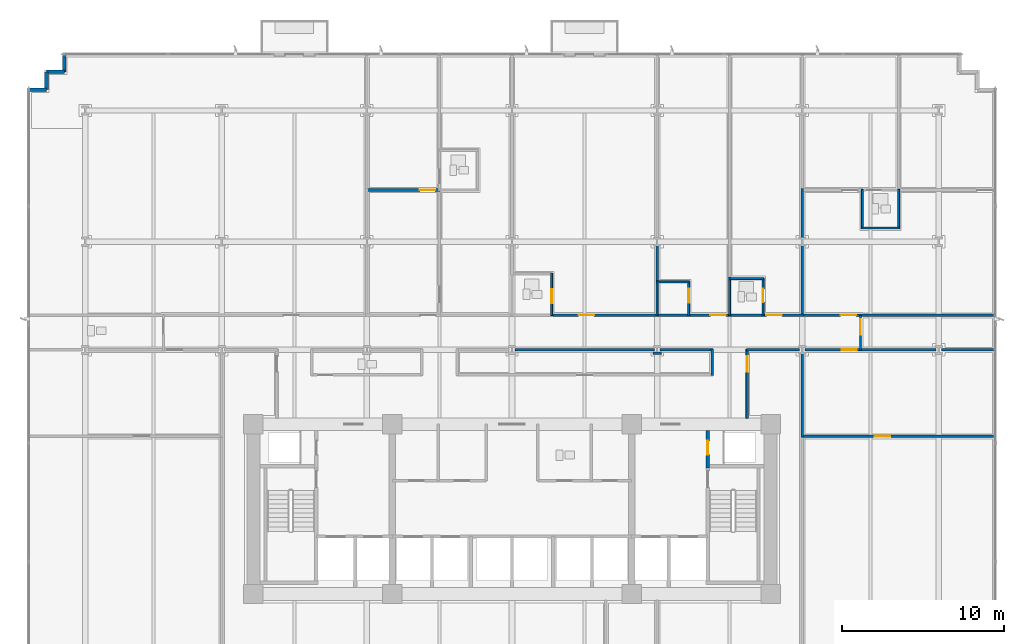
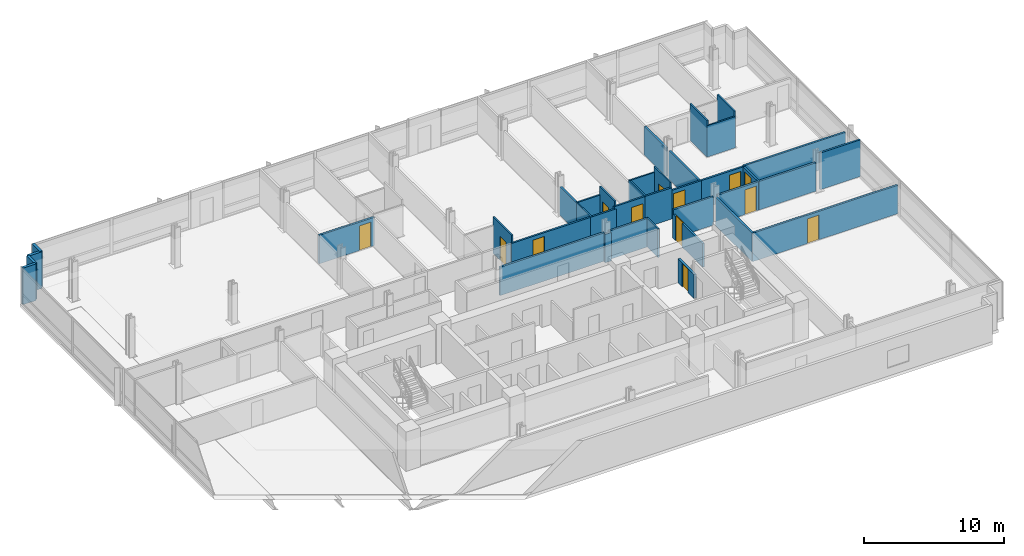
# One storey, part 10 of 18: 38 walls, 13 doors, 13 openings.
"""IFC4 building model written with IfcOpenShell, lengths in metres."""

from ifc_helpers import new_model, si_unit, direction, frame, frame_2d, origin, place, context, subcontext, project, spatial, rectangle, extrude, material, layer, layer_set, type_object, element, fill, save


model = new_model("IFC4")

# Units and contexts
model_context = context("Model", 3, precision=1e-05, world=origin(), true_north=direction((0.0, 1.0)))
body_context = subcontext(model_context, "Body", "Model", "MODEL_VIEW")
ifc_project = project(units=[si_unit("LENGTHUNIT", "METRE"), si_unit("AREAUNIT", "SQUARE_METRE"), si_unit("VOLUMEUNIT", "CUBIC_METRE"), si_unit("PLANEANGLEUNIT", "RADIAN"), si_unit("MASSUNIT", "GRAM", prefix="KILO")], contexts=[model_context])

# Site, building, storey
site_placement = place(None, origin())
site = spatial("IfcSite", under=ifc_project, at=site_placement, CompositionType="ELEMENT")
building_placement = place(site_placement, origin())
building = spatial("IfcBuilding", under=site, at=building_placement, Name="Solmavex Isthmus Hotel", CompositionType="ELEMENT")
storey_placement = place(building_placement, frame((0.0, 0.0, 43.64990234375)))
storey = spatial("IfcBuildingStorey", under=building, at=storey_placement, Name="L11", CompositionType="ELEMENT", Elevation=43.64990234375)

# Walls
ifc_material_1 = material(Name="Precast Concrete C40/50", Category="concrete")
ifc_layer_1 = layer(ifc_material_1, 0.25)
ifc_layer_set_1 = layer_set([ifc_layer_1], Name="Precast Concrete C40/50")
wall_type_1 = type_object("IfcWallType", Name="EW-TWR-250", PredefinedType="STANDARD", material=ifc_layer_set_1)
wall_1_placement = place(storey_placement, frame((-29.889892578125, 18.18994140625, 0.0), z_axis=(0.0, 0.0, 1.0), x_axis=(1.0, 0.0, 0.0)))
element("IfcWall", 1, at=wall_1_placement, inside=storey, type_object=wall_type_1, Name="Serrated Corner Facade Panel L11-06", PredefinedType="STANDARD", context=body_context, shape_type="SweptSolid", body=[
    extrude(rectangle(XDim=1.099853515625, YDim=0.219970703125, at=frame_2d((0.5498046875, 0.0))), origin(), (0.0, 0.0, 1.0), 3.190185546875),
])
for number, where, z_axis, x_axis, name in (
    (2, (-28.7900390625, 18.18994140625, 0.0), (0.0, 0.0, 1.0), (0.0, 1.0, 0.0), "Serrated Corner Facade Panel L11-07"),
    (3, (-28.7900390625, 19.2900390625, 0.0), (0.0, 0.0, 1.0), (1.0, 0.0, 0.0), "Serrated Corner Facade Panel L11-08"),
):
    element("IfcWall", number, at=place(storey_placement, frame(where, z_axis=z_axis, x_axis=x_axis)), inside=storey, type_object=wall_type_1, Name=name, PredefinedType="STANDARD", context=body_context, shape_type="SweptSolid", body=[
        extrude(rectangle(XDim=1.10009765625, YDim=0.219970703125, at=frame_2d((0.550048828125, 0.0))), origin(), (0.0, 0.0, 1.0), 3.190185546875),
    ])
wall_2_placement = place(storey_placement, frame((-27.68994140625, 19.2900390625, 0.0), z_axis=(0.0, 0.0, 1.0), x_axis=(0.0, 1.0, 0.0)))
element("IfcWall", 4, at=wall_2_placement, inside=storey, type_object=wall_type_1, Name="Serrated Corner Facade Panel L11-09", PredefinedType="STANDARD", context=body_context, shape_type="SweptSolid", body=[
    extrude(rectangle(XDim=1.099853515625, YDim=0.219970703125, at=frame_2d((0.5498046875, 0.0))), origin(), (0.0, 0.0, 1.0), 3.190185546875),
])

# Wall, opening, door
ifc_material_2 = material(Name="Gypsum plasterboard lining", Category="gypsum")
ifc_layer_2 = layer(ifc_material_2, 0.159912109375)
ifc_layer_set_2 = layer_set([ifc_layer_2], Name="Gypsum plasterboard lining")
wall_type_2 = type_object("IfcWallType", Name="IW-COMP-160", PredefinedType="PARTITIONING", material=ifc_layer_set_2)
wall_3_placement = place(storey_placement, frame((-9.01611328125, 11.988037109375, 0.0), z_axis=(0.0, 0.0, 1.0), x_axis=(1.0, 0.0, 0.0)))
wall_3 = element("IfcWall", 5, at=wall_3_placement, inside=storey, type_object=wall_type_2, Name="Interior Partition Wall W-L11-P038", PredefinedType="PARTITIONING", context=body_context, shape_type="SweptSolid", body=[
    extrude(rectangle(XDim=4.568115234375, YDim=0.159912109375, at=frame_2d((2.2841796875, 0.0))), origin(), (0.0, 0.0, 1.0), 2.4794921875),
])
opening_1_placement = place(wall_3_placement, frame((3.31689453125, 0.0, 0.0)))
opening_1 = element("IfcOpeningElement", 6, at=opening_1_placement, cuts=wall_3, Name="Opening ID-C095", PredefinedType="OPENING", context=body_context, shape_type="SweptSolid", body=[
    extrude(rectangle(XDim=0.949951171875, YDim=2.14990234375, at=frame_2d((0.47509765625, 1.074951171875))), frame((0.0, 0.08984375, 0.0), z_axis=(0.0, -1.0, 0.0), x_axis=(1.0, 0.0, 0.0)), (0.0, 0.0, 1.0), 0.179931640625),
])
ifc_material_3 = material(Name="Hardwood timber", Category="wood")
door_type_1 = type_object("IfcDoorType", Name="IDR-FD60-0950", OperationType="NOTDEFINED", PredefinedType="DOOR", material=ifc_material_3)
door_1_placement = place(opening_1_placement, origin())
door_1 = element("IfcDoor", 7, at=door_1_placement, inside=storey, type_object=door_type_1, Name="Premier Suite Master Bedroom Door L11-03", OperationType="SINGLE_SWING_LEFT", OverallHeight=2.14990234375, OverallWidth=0.949951171875, PredefinedType="DOOR", context=body_context, shape_type="SweptSolid", body=[
    extrude(rectangle(XDim=0.949951171875, YDim=2.14990234375, at=frame_2d((0.47509765625, 1.074951171875))), frame((0.0, 0.02490234375, 0.0), z_axis=(0.0, -1.0, 0.0), x_axis=(1.0, 0.0, 0.0)), (0.0, 0.0, 1.0), 0.050048828125),
])
fill(opening_1, door_1)

# Walls
wall_4_placement = place(storey_placement, frame((8.97607421875, 8.613037109375, 0.0), z_axis=(0.0, 0.0, 1.0), x_axis=(0.0, -1.0, 0.0)))
element("IfcWall", 8, at=wall_4_placement, inside=storey, type_object=wall_type_2, Name="Interior Partition Wall W-L11-P051", PredefinedType="PARTITIONING", context=body_context, shape_type="SweptSolid", body=[
    extrude(rectangle(XDim=2.39501953125, YDim=0.159912109375, at=frame_2d((1.197509765625, 0.0))), origin(), (0.0, 0.0, 1.0), 2.4794921875),
])
wall_5_placement = place(storey_placement, frame((17.951904296875, 8.613037109375, 0.0), z_axis=(0.0, 0.0, 1.0), x_axis=(0.0, -1.0, 0.0)))
element("IfcWall", 9, at=wall_5_placement, inside=storey, type_object=wall_type_2, Name="Interior Partition Wall W-L11-P061", PredefinedType="PARTITIONING", context=body_context, shape_type="SweptSolid", body=[
    extrude(rectangle(XDim=4.403076171875, YDim=0.159912109375, at=frame_2d((2.20166015625, 0.0))), origin(), (0.0, 0.0, 1.0), 2.4794921875),
])
wall_6_placement = place(storey_placement, frame((17.951904296875, 12.070068359375, 0.0), z_axis=(0.0, 0.0, 1.0), x_axis=(0.0, -1.0, 0.0)))
element("IfcWall", 10, at=wall_6_placement, inside=storey, type_object=wall_type_2, Name="Interior Partition Wall W-L11-P062", PredefinedType="PARTITIONING", context=body_context, shape_type="SweptSolid", body=[
    extrude(rectangle(XDim=3.107177734375, YDim=0.159912109375, at=frame_2d((1.5537109375, 0.0))), origin(), (0.0, 0.0, 1.0), 2.4794921875),
])
wall_7_placement = place(storey_placement, frame((29.919921875, 4.22998046875, 0.0), z_axis=(0.0, 0.0, 1.0), x_axis=(-1.0, 0.0, 0.0)))
element("IfcWall", 11, at=wall_7_placement, inside=storey, type_object=wall_type_2, Name="Interior Partition Wall W-L11-P070", PredefinedType="PARTITIONING", context=body_context, shape_type="SweptSolid", body=[
    extrude(rectangle(XDim=8.407958984375, YDim=0.159912109375, at=frame_2d((4.2041015625, 0.0))), origin(), (0.0, 0.0, 1.0), 2.55322265625),
])
wall_8_placement = place(storey_placement, frame((26.22509765625, 2.10009765625, 0.0), z_axis=(0.0, 0.0, 1.0), x_axis=(-1.0, 0.0, 0.0)))
element("IfcWall", 12, at=wall_8_placement, inside=storey, type_object=wall_type_2, Name="Interior Partition Wall W-L11-P075", PredefinedType="PARTITIONING", context=body_context, shape_type="SweptSolid", body=[
    extrude(rectangle(XDim=4.713134765625, YDim=0.159912109375, at=frame_2d((2.3564453125, 0.0))), origin(), (0.0, 0.0, 1.0), 2.4794921875),
])
wall_9_placement = place(storey_placement, frame((29.919921875, 2.10009765625, 0.0), z_axis=(0.0, 0.0, 1.0), x_axis=(-1.0, 0.0, 0.0)))
element("IfcWall", 13, at=wall_9_placement, inside=storey, type_object=wall_type_2, Name="Interior Partition Wall W-L11-P076", PredefinedType="PARTITIONING", context=body_context, shape_type="SweptSolid", body=[
    extrude(rectangle(XDim=3.344970703125, YDim=0.159912109375, at=frame_2d((1.67236328125, 0.0))), origin(), (0.0, 0.0, 1.0), 3.190185546875),
])
wall_10_placement = place(storey_placement, frame((17.951904296875, -3.2900390625, 0.0), z_axis=(0.0, 0.0, 1.0), x_axis=(0.0, 1.0, 0.0)))
element("IfcWall", 14, at=wall_10_placement, inside=storey, type_object=wall_type_2, Name="Interior Partition Wall W-L11-P079", PredefinedType="PARTITIONING", context=body_context, shape_type="SweptSolid", body=[
    extrude(rectangle(XDim=5.215087890625, YDim=0.159912109375, at=frame_2d((2.607421875, 0.0))), origin(), (0.0, 0.0, 1.0), 2.4794921875),
])

# Wall, opening, door
wall_11_placement = place(storey_placement, frame((29.919921875, -3.25, 0.0), z_axis=(0.0, 0.0, 1.0), x_axis=(-1.0, 0.0, 0.0)))
wall_11 = element("IfcWall", 15, at=wall_11_placement, inside=storey, type_object=wall_type_2, Name="Interior Partition Wall W-L11-P080", PredefinedType="PARTITIONING", context=body_context, shape_type="SweptSolid", body=[
    extrude(rectangle(XDim=12.0078125, YDim=0.159912109375, at=frame_2d((6.00390625, 0.0))), origin(), (0.0, 0.0, 1.0), 2.4794921875),
])
opening_2_placement = place(wall_11_placement, frame((6.531005859375, 0.0, 0.0)))
opening_2 = element("IfcOpeningElement", 16, at=opening_2_placement, cuts=wall_11, Name="Opening ID-C095", PredefinedType="OPENING", context=body_context, shape_type="SweptSolid", body=[
    extrude(rectangle(XDim=0.949951171875, YDim=2.14990234375, at=frame_2d((0.47509765625, 1.074951171875))), frame((0.0, 0.08984375, 0.0), z_axis=(0.0, -1.0, 0.0), x_axis=(1.0, 0.0, 0.0)), (0.0, 0.0, 1.0), 0.179931640625),
])
door_2_placement = place(opening_2_placement, origin())
door_2 = element("IfcDoor", 17, at=door_2_placement, inside=storey, type_object=door_type_1, Name="Corporate Briefing Office Door L11-26", OperationType="SINGLE_SWING_RIGHT", OverallHeight=2.14990234375, OverallWidth=0.949951171875, PredefinedType="DOOR", context=body_context, shape_type="SweptSolid", body=[
    extrude(rectangle(XDim=0.949951171875, YDim=2.14990234375, at=frame_2d((0.47509765625, 1.074951171875))), frame((0.0, 0.02490234375, 0.0), z_axis=(0.0, -1.0, 0.0), x_axis=(1.0, 0.0, 0.0)), (0.0, 0.0, 1.0), 0.050048828125),
])
fill(opening_2, door_2)

ifc_layer_3 = layer(ifc_material_2, 0.14990234375)
ifc_layer_set_3 = layer_set([ifc_layer_3], Name="Gypsum plasterboard lining")
wall_type_3 = type_object("IfcWallType", Name="IW-CORR-150", PredefinedType="PARTITIONING", material=ifc_layer_set_3)
wall_12_placement = place(storey_placement, frame((2.367919921875, 4.25, 0.0), z_axis=(0.0, 0.0, 1.0), x_axis=(1.0, 0.0, 0.0)))
wall_12 = element("IfcWall", 18, at=wall_12_placement, inside=storey, type_object=wall_type_3, Name="Interior Partition Wall W-L11-P004", PredefinedType="PARTITIONING", context=body_context, shape_type="SweptSolid", body=[
    extrude(rectangle(XDim=6.690185546875, YDim=0.14990234375, at=frame_2d((3.34521484375, 0.0))), origin(), (0.0, 0.0, 1.0), 2.4794921875),
])
opening_3_placement = place(wall_12_placement, frame((1.759521484375, 0.0, 0.0)))
opening_3 = element("IfcOpeningElement", 19, at=opening_3_placement, cuts=wall_12, Name="Opening ID-C095", PredefinedType="OPENING", context=body_context, shape_type="SweptSolid", body=[
    extrude(rectangle(XDim=0.949951171875, YDim=2.14990234375, at=frame_2d((0.47509765625, 1.074951171875))), frame((0.0, 0.0849609375, 0.0), z_axis=(0.0, -1.0, 0.0), x_axis=(1.0, 0.0, 0.0)), (0.0, 0.0, 1.0), 0.169921875),
])
door_3_placement = place(opening_3_placement, origin())
door_3 = element("IfcDoor", 20, at=door_3_placement, inside=storey, type_object=door_type_1, Name="Premier Suite Door L11-06", OperationType="SINGLE_SWING_RIGHT", OverallHeight=2.14990234375, OverallWidth=0.949951171875, PredefinedType="DOOR", context=body_context, shape_type="SweptSolid", body=[
    extrude(rectangle(XDim=0.949951171875, YDim=2.14990234375, at=frame_2d((0.47509765625, 1.074951171875))), frame((0.0, 0.02490234375, 0.0), z_axis=(0.0, -1.0, 0.0), x_axis=(1.0, 0.0, 0.0)), (0.0, 0.0, 1.0), 0.050048828125),
])
fill(opening_3, door_3)

wall_13_placement = place(storey_placement, frame((10.843994140625, 4.25, 0.0), z_axis=(0.0, 0.0, 1.0), x_axis=(1.0, 0.0, 0.0)))
wall_13 = element("IfcWall", 21, at=wall_13_placement, inside=storey, type_object=wall_type_3, Name="Interior Partition Wall W-L11-P006", PredefinedType="PARTITIONING", context=body_context, shape_type="SweptSolid", body=[
    extrude(rectangle(XDim=2.701904296875, YDim=0.14990234375, at=frame_2d((1.35107421875, 0.0))), origin(), (0.0, 0.0, 1.0), 2.71826171875),
])
opening_4_placement = place(wall_13_placement, frame((1.426513671875, 0.0, 0.0)))
opening_4 = element("IfcOpeningElement", 22, at=opening_4_placement, cuts=wall_13, Name="Opening ID-C095", PredefinedType="OPENING", context=body_context, shape_type="SweptSolid", body=[
    extrude(rectangle(XDim=0.949951171875, YDim=2.14990234375, at=frame_2d((0.47509765625, 1.074951171875))), frame((0.0, 0.0849609375, 0.0), z_axis=(0.0, -1.0, 0.0), x_axis=(1.0, 0.0, 0.0)), (0.0, 0.0, 1.0), 0.169921875),
])
door_4_placement = place(opening_4_placement, origin())
door_4 = element("IfcDoor", 23, at=door_4_placement, inside=storey, type_object=door_type_1, Name="Deluxe Guest Room Door L11-08", OperationType="SINGLE_SWING_RIGHT", OverallHeight=2.14990234375, OverallWidth=0.949951171875, PredefinedType="DOOR", context=body_context, shape_type="SweptSolid", body=[
    extrude(rectangle(XDim=0.949951171875, YDim=2.14990234375, at=frame_2d((0.47509765625, 1.074951171875))), frame((0.0, 0.02490234375, 0.0), z_axis=(0.0, -1.0, 0.0), x_axis=(1.0, 0.0, 0.0)), (0.0, 0.0, 1.0), 0.050048828125),
])
fill(opening_4, door_4)

# Wall
wall_14_placement = place(storey_placement, frame((8.89404296875, 4.25, 0.0), z_axis=(0.0, 0.0, 1.0), x_axis=(1.0, 0.0, 0.0)))
element("IfcWall", 24, at=wall_14_placement, inside=storey, type_object=wall_type_3, Name="Interior Partition Wall W-L11-P007", PredefinedType="PARTITIONING", context=body_context, shape_type="SweptSolid", body=[
    extrude(rectangle(XDim=2.114013671875, YDim=0.14990234375, at=frame_2d((1.05712890625, 0.0))), origin(), (0.0, 0.0, 1.0), 2.4794921875),
])

# Wall, opening, door
wall_15_placement = place(storey_placement, frame((15.446533203125, 4.25, 0.0), z_axis=(0.0, 0.0, 1.0), x_axis=(1.0, 0.0, 0.0)))
wall_15 = element("IfcWall", 25, at=wall_15_placement, inside=storey, type_object=wall_type_3, Name="Interior Partition Wall W-L11-P008", PredefinedType="PARTITIONING", context=body_context, shape_type="SweptSolid", body=[
    extrude(rectangle(XDim=2.58740234375, YDim=0.14990234375, at=frame_2d((1.293701171875, 0.0))), origin(), (0.0, 0.0, 1.0), 2.4794921875),
])
opening_5_placement = place(wall_15_placement, frame((0.292236328125, 0.0, 0.0)))
opening_5 = element("IfcOpeningElement", 26, at=opening_5_placement, cuts=wall_15, Name="Opening ID-C095", PredefinedType="OPENING", context=body_context, shape_type="SweptSolid", body=[
    extrude(rectangle(XDim=0.949951171875, YDim=2.14990234375, at=frame_2d((0.47509765625, 1.074951171875))), frame((0.0, 0.0849609375, 0.0), z_axis=(0.0, -1.0, 0.0), x_axis=(1.0, 0.0, 0.0)), (0.0, 0.0, 1.0), 0.169921875),
])
door_5_placement = place(opening_5_placement, origin())
door_5 = element("IfcDoor", 27, at=door_5_placement, inside=storey, type_object=door_type_1, Name="Superior King Room Door L11-10", OperationType="SINGLE_SWING_RIGHT", OverallHeight=2.14990234375, OverallWidth=0.949951171875, PredefinedType="DOOR", context=body_context, shape_type="SweptSolid", body=[
    extrude(rectangle(XDim=0.949951171875, YDim=2.14990234375, at=frame_2d((0.47509765625, 1.074951171875))), frame((0.0, 0.02490234375, 0.0), z_axis=(0.0, -1.0, 0.0), x_axis=(1.0, 0.0, 0.0)), (0.0, 0.0, 1.0), 0.050048828125),
])
fill(opening_5, door_5)

# Wall
wall_16_placement = place(storey_placement, frame((13.382080078125, 4.25, 0.0), z_axis=(0.0, 0.0, 1.0), x_axis=(1.0, 0.0, 0.0)))
element("IfcWall", 28, at=wall_16_placement, inside=storey, type_object=wall_type_3, Name="Interior Partition Wall W-L11-P009", PredefinedType="PARTITIONING", context=body_context, shape_type="SweptSolid", body=[
    extrude(rectangle(XDim=2.228515625, YDim=0.14990234375, at=frame_2d((1.1142578125, 0.0))), origin(), (0.0, 0.0, 1.0), 2.71826171875),
])

# Wall, opening, door
wall_17_placement = place(storey_placement, frame((17.8701171875, 4.25, 0.0), z_axis=(0.0, 0.0, 1.0), x_axis=(1.0, 0.0, 0.0)))
wall_17 = element("IfcWall", 29, at=wall_17_placement, inside=storey, type_object=wall_type_3, Name="Interior Partition Wall W-L11-P010", PredefinedType="PARTITIONING", context=body_context, shape_type="SweptSolid", body=[
    extrude(rectangle(XDim=3.721923828125, YDim=0.14990234375, at=frame_2d((1.86083984375, 0.0))), origin(), (0.0, 0.0, 1.0), 2.4794921875),
])
opening_6_placement = place(wall_17_placement, frame((2.456787109375, 0.0, 0.0)))
opening_6 = element("IfcOpeningElement", 30, at=opening_6_placement, cuts=wall_17, Name="Opening ID-C095", PredefinedType="OPENING", context=body_context, shape_type="SweptSolid", body=[
    extrude(rectangle(XDim=0.949951171875, YDim=2.14990234375, at=frame_2d((0.47509765625, 1.074951171875))), frame((0.0, 0.0849609375, 0.0), z_axis=(0.0, -1.0, 0.0), x_axis=(1.0, 0.0, 0.0)), (0.0, 0.0, 1.0), 0.169921875),
])
door_6_placement = place(opening_6_placement, origin())
door_6 = element("IfcDoor", 31, at=door_6_placement, inside=storey, type_object=door_type_1, Name="Corner Diplomatic Suite Reception Foyer Door L11-12", OperationType="SINGLE_SWING_RIGHT", OverallHeight=2.14990234375, OverallWidth=0.949951171875, PredefinedType="DOOR", context=body_context, shape_type="SweptSolid", body=[
    extrude(rectangle(XDim=0.949951171875, YDim=2.14990234375, at=frame_2d((0.47509765625, 1.074951171875))), frame((0.0, 0.02490234375, 0.0), z_axis=(0.0, -1.0, 0.0), x_axis=(1.0, 0.0, 0.0)), (0.0, 0.0, 1.0), 0.050048828125),
])
fill(opening_6, door_6)

wall_18_placement = place(storey_placement, frame((21.552001953125, 4.27001953125, 0.0), z_axis=(0.0, 0.0, 1.0), x_axis=(0.0, -1.0, 0.0)))
wall_18 = element("IfcWall", 32, at=wall_18_placement, inside=storey, type_object=wall_type_3, Name="Interior Partition Wall W-L11-P018", PredefinedType="PARTITIONING", context=body_context, shape_type="SweptSolid", body=[
    extrude(rectangle(XDim=2.2099609375, YDim=0.14990234375, at=frame_2d((1.10498046875, 0.0))), origin(), (0.0, 0.0, 1.0), 2.4794921875),
])
opening_7_placement = place(wall_18_placement, frame((0.272216796875, 0.0, 0.0)))
opening_7 = element("IfcOpeningElement", 33, at=opening_7_placement, cuts=wall_18, Name="Opening ID-C095", PredefinedType="OPENING", context=body_context, shape_type="SweptSolid", body=[
    extrude(rectangle(XDim=0.949951171875, YDim=2.14990234375, at=frame_2d((0.47509765625, 1.074951171875))), frame((0.0, 0.0849609375, 0.0), z_axis=(0.0, -1.0, 0.0), x_axis=(1.0, 0.0, 0.0)), (0.0, 0.0, 1.0), 0.169921875),
])
door_7_placement = place(opening_7_placement, origin())
door_7 = element("IfcDoor", 34, at=door_7_placement, inside=storey, type_object=door_type_1, Name="Hospitality Tea Kitchen Door L11-18", OperationType="SINGLE_SWING_RIGHT", OverallHeight=2.14990234375, OverallWidth=0.949951171875, PredefinedType="DOOR", context=body_context, shape_type="SweptSolid", body=[
    extrude(rectangle(XDim=0.949951171875, YDim=2.14990234375, at=frame_2d((0.47509765625, 1.074951171875))), frame((0.0, 0.02490234375, 0.0), z_axis=(0.0, -1.0, 0.0), x_axis=(1.0, 0.0, 0.0)), (0.0, 0.0, 1.0), 0.050048828125),
])
fill(opening_7, door_7)

# Walls
wall_19_placement = place(storey_placement, frame((12.384033203125, 0.510009765625, 0.0), z_axis=(0.0, 0.0, 1.0), x_axis=(0.0, 1.0, 0.0)))
element("IfcWall", 35, at=wall_19_placement, inside=storey, type_object=wall_type_3, Name="Interior Partition Wall W-L11-P023", PredefinedType="PARTITIONING", context=body_context, shape_type="SweptSolid", body=[
    extrude(rectangle(XDim=1.6298828125, YDim=0.14990234375, at=frame_2d((0.81494140625, 0.0))), origin(), (0.0, 0.0, 1.0), 2.4794921875),
])
wall_20_placement = place(storey_placement, frame((12.424072265625, 2.10009765625, 0.0), z_axis=(0.0, 0.0, 1.0), x_axis=(-1.0, 0.0, 0.0)))
element("IfcWall", 36, at=wall_20_placement, inside=storey, type_object=wall_type_3, Name="Interior Partition Wall W-L11-P024", PredefinedType="PARTITIONING", context=body_context, shape_type="SweptSolid", body=[
    extrude(rectangle(XDim=3.273193359375, YDim=0.14990234375, at=frame_2d((1.63671875, 0.0))), origin(), (0.0, 0.0, 1.0), 2.4794921875),
])
wall_21_placement = place(storey_placement, frame((9.23095703125, 1.885009765625, 0.0), z_axis=(0.0, 0.0, 1.0), x_axis=(-1.0, 0.0, 0.0)))
element("IfcWall", 37, at=wall_21_placement, inside=storey, type_object=wall_type_3, Name="Interior Partition Wall W-L11-P025", PredefinedType="PARTITIONING", context=body_context, shape_type="SweptSolid", body=[
    extrude(rectangle(XDim=0.510009765625, YDim=0.14990234375, at=frame_2d((0.2548828125, 0.0))), origin(), (0.0, 0.0, 1.0), 2.4794921875),
])
wall_22_placement = place(storey_placement, frame((8.801025390625, 2.10009765625, 0.0), z_axis=(0.0, 0.0, 1.0), x_axis=(-1.0, 0.0, 0.0)))
element("IfcWall", 38, at=wall_22_placement, inside=storey, type_object=wall_type_3, Name="Interior Partition Wall W-L11-P026", PredefinedType="PARTITIONING", context=body_context, shape_type="SweptSolid", body=[
    extrude(rectangle(XDim=8.6259765625, YDim=0.14990234375, at=frame_2d((4.31298828125, 0.0))), origin(), (0.0, 0.0, 1.0), 2.4794921875),
])

# Wall, opening, door
wall_23_placement = place(storey_placement, frame((21.592041015625, 2.10009765625, 0.0), z_axis=(0.0, 0.0, 1.0), x_axis=(-1.0, 0.0, 0.0)))
wall_23 = element("IfcWall", 39, at=wall_23_placement, inside=storey, type_object=wall_type_3, Name="Interior Partition Wall W-L11-P028", PredefinedType="PARTITIONING", context=body_context, shape_type="SweptSolid", body=[
    extrude(rectangle(XDim=3.465087890625, YDim=0.14990234375, at=frame_2d((1.732421875, 0.0))), origin(), (0.0, 0.0, 1.0), 2.4794921875),
])
opening_8_placement = place(wall_23_placement, frame((0.26220703125, 0.0, 0.0)))
opening_8 = element("IfcOpeningElement", 40, at=opening_8_placement, cuts=wall_23, Name="Opening ID-C095", PredefinedType="OPENING", context=body_context, shape_type="SweptSolid", body=[
    extrude(rectangle(XDim=0.949951171875, YDim=2.14990234375, at=frame_2d((0.47509765625, 1.074951171875))), frame((0.0, 0.0849609375, 0.0), z_axis=(0.0, -1.0, 0.0), x_axis=(1.0, 0.0, 0.0)), (0.0, 0.0, 1.0), 0.169921875),
])
door_8_placement = place(opening_8_placement, origin())
door_8 = element("IfcDoor", 41, at=door_8_placement, inside=storey, type_object=door_type_1, Name="Seminar Meeting Room Door L11-21", OperationType="SINGLE_SWING_LEFT", OverallHeight=2.14990234375, OverallWidth=0.949951171875, PredefinedType="DOOR", context=body_context, shape_type="SweptSolid", body=[
    extrude(rectangle(XDim=0.949951171875, YDim=2.14990234375, at=frame_2d((0.47509765625, 1.074951171875))), frame((0.0, 0.02490234375, 0.0), z_axis=(0.0, -1.0, 0.0), x_axis=(1.0, 0.0, 0.0)), (0.0, 0.0, 1.0), 0.050048828125),
])
fill(opening_8, door_8)

# Wall
wall_24_placement = place(storey_placement, frame((17.777099609375, 2.10009765625, 0.0), z_axis=(0.0, 0.0, 1.0), x_axis=(-1.0, 0.0, 0.0)))
element("IfcWall", 42, at=wall_24_placement, inside=storey, type_object=wall_type_3, Name="Interior Partition Wall W-L11-P029", PredefinedType="PARTITIONING", context=body_context, shape_type="SweptSolid", body=[
    extrude(rectangle(XDim=3.273193359375, YDim=0.14990234375, at=frame_2d((1.63671875, 0.0))), origin(), (0.0, 0.0, 1.0), 2.4794921875),
])

# Wall, opening, door
wall_25_placement = place(storey_placement, frame((14.5439453125, 2.139892578125, 0.0), z_axis=(0.0, 0.0, 1.0), x_axis=(0.0, -1.0, 0.0)))
wall_25 = element("IfcWall", 43, at=wall_25_placement, inside=storey, type_object=wall_type_3, Name="Interior Partition Wall W-L11-P030", PredefinedType="PARTITIONING", context=body_context, shape_type="SweptSolid", body=[
    extrude(rectangle(XDim=4.27978515625, YDim=0.14990234375, at=frame_2d((2.139892578125, 0.0))), origin(), (0.0, 0.0, 1.0), 2.0751953125),
])
opening_9_placement = place(wall_25_placement, frame((0.43017578125, 0.0, 0.0)))
opening_9 = element("IfcOpeningElement", 44, at=opening_9_placement, cuts=wall_25, Name="Opening ID-C095", PredefinedType="OPENING", context=body_context, shape_type="SweptSolid", body=[
    extrude(rectangle(XDim=0.949951171875, YDim=2.14990234375, at=frame_2d((0.47509765625, 1.074951171875))), frame((0.0, 0.0849609375, 0.0), z_axis=(0.0, -1.0, 0.0), x_axis=(1.0, 0.0, 0.0)), (0.0, 0.0, 1.0), 0.169921875),
])
door_9_placement = place(opening_9_placement, frame((0.949951171875, 0.0, 0.0), z_axis=(0.0, 0.0, 1.0), x_axis=(-1.0, 0.0, 0.0)))
door_9 = element("IfcDoor", 45, at=door_9_placement, inside=storey, type_object=door_type_1, Name="Catering Servery Kitchen Door L11-22", OperationType="SINGLE_SWING_RIGHT", OverallHeight=2.14990234375, OverallWidth=0.949951171875, PredefinedType="DOOR", context=body_context, shape_type="SweptSolid", body=[
    extrude(rectangle(XDim=0.949951171875, YDim=2.14990234375, at=frame_2d((0.47509765625, 1.074951171875))), frame((0.0, 0.02490234375, 0.0), z_axis=(0.0, -1.0, 0.0), x_axis=(1.0, 0.0, 0.0)), (0.0, 0.0, 1.0), 0.050048828125),
])
fill(opening_9, door_9)

ifc_layer_4 = layer(ifc_material_2, 0.1201171875)
ifc_layer_set_4 = layer_set([ifc_layer_4], Name="Gypsum plasterboard lining")
wall_type_4 = type_object("IfcWallType", Name="IW-PART-120", PredefinedType="PARTITIONING", material=ifc_layer_set_4)
wall_26_placement = place(storey_placement, frame((2.449951171875, 4.2099609375, 0.0), z_axis=(0.0, 0.0, 1.0), x_axis=(0.0, 1.0, 0.0)))
wall_26 = element("IfcWall", 46, at=wall_26_placement, inside=storey, type_object=wall_type_4, Name="Interior Partition Wall W-L11-P049", PredefinedType="PARTITIONING", context=body_context, shape_type="SweptSolid", body=[
    extrude(rectangle(XDim=2.630126953125, YDim=0.1201171875, at=frame_2d((1.31494140625, 0.0))), origin(), (0.0, 0.0, 1.0), 3.190185546875),
])
opening_10_placement = place(wall_26_placement, frame((0.782958984375, 0.0, 0.0)))
opening_10 = element("IfcOpeningElement", 47, at=opening_10_placement, cuts=wall_26, Name="Opening ID-U085", PredefinedType="OPENING", context=body_context, shape_type="SweptSolid", body=[
    extrude(rectangle(XDim=0.85009765625, YDim=2.10009765625, at=frame_2d((0.425048828125, 1.050048828125))), frame((0.0, 0.070068359375, 0.0), z_axis=(0.0, -1.0, 0.0), x_axis=(1.0, 0.0, 0.0)), (0.0, 0.0, 1.0), 0.14013671875),
])
door_type_2 = type_object("IfcDoorType", Name="IDR-UNR-0850", OperationType="NOTDEFINED", PredefinedType="DOOR", material=ifc_material_3)
door_10_placement = place(opening_10_placement, frame((0.85009765625, 0.0, 0.0), z_axis=(0.0, 0.0, 1.0), x_axis=(-1.0, 0.0, 0.0)))
door_10 = element("IfcDoor", 48, at=door_10_placement, inside=storey, type_object=door_type_2, Name="En-suite Bathroom Door L11-07", OperationType="SINGLE_SWING_LEFT", OverallHeight=2.10009765625, OverallWidth=0.85009765625, PredefinedType="DOOR", context=body_context, shape_type="SweptSolid", body=[
    extrude(rectangle(XDim=0.85009765625, YDim=2.10009765625, at=frame_2d((0.425048828125, 1.050048828125))), frame((0.0, 0.02490234375, 0.0), z_axis=(0.0, -1.0, 0.0), x_axis=(1.0, 0.0, 0.0)), (0.0, 0.0, 1.0), 0.050048828125),
])
fill(opening_10, door_10)

# Wall
wall_27_placement = place(storey_placement, frame((8.97607421875, 6.382080078125, 0.0), z_axis=(0.0, 0.0, 1.0), x_axis=(0.0, -1.0, 0.0)))
element("IfcWall", 49, at=wall_27_placement, inside=storey, type_object=wall_type_4, Name="Interior Partition Wall W-L11-P054", PredefinedType="PARTITIONING", context=body_context, shape_type="SweptSolid", body=[
    extrude(rectangle(XDim=2.172119140625, YDim=0.1201171875, at=frame_2d((1.0859375, 0.0))), origin(), (0.0, 0.0, 1.0), 2.4794921875),
])

# Wall, opening, door
wall_28_placement = place(storey_placement, frame((10.926025390625, 4.2099609375, 0.0), z_axis=(0.0, 0.0, 1.0), x_axis=(0.0, 1.0, 0.0)))
wall_28 = element("IfcWall", 50, at=wall_28_placement, inside=storey, type_object=wall_type_4, Name="Interior Partition Wall W-L11-P055", PredefinedType="PARTITIONING", context=body_context, shape_type="SweptSolid", body=[
    extrude(rectangle(XDim=2.130126953125, YDim=0.1201171875, at=frame_2d((1.06494140625, 0.0))), origin(), (0.0, 0.0, 1.0), 3.190185546875),
])
opening_11_placement = place(wall_28_placement, frame((0.812255859375, 0.0, 0.0)))
opening_11 = element("IfcOpeningElement", 51, at=opening_11_placement, cuts=wall_28, Name="Opening ID-U085", PredefinedType="OPENING", context=body_context, shape_type="SweptSolid", body=[
    extrude(rectangle(XDim=0.85009765625, YDim=2.10009765625, at=frame_2d((0.425048828125, 1.050048828125))), frame((0.0, 0.070068359375, 0.0), z_axis=(0.0, -1.0, 0.0), x_axis=(1.0, 0.0, 0.0)), (0.0, 0.0, 1.0), 0.14013671875),
])
door_11_placement = place(opening_11_placement, frame((0.85009765625, 0.0, 0.0), z_axis=(0.0, 0.0, 1.0), x_axis=(-1.0, 0.0, 0.0)))
door_11 = element("IfcDoor", 52, at=door_11_placement, inside=storey, type_object=door_type_2, Name="En-suite Bathroom Door L11-09", OperationType="SINGLE_SWING_LEFT", OverallHeight=2.10009765625, OverallWidth=0.85009765625, PredefinedType="DOOR", context=body_context, shape_type="SweptSolid", body=[
    extrude(rectangle(XDim=0.85009765625, YDim=2.10009765625, at=frame_2d((0.425048828125, 1.050048828125))), frame((0.0, 0.02490234375, 0.0), z_axis=(0.0, -1.0, 0.0), x_axis=(1.0, 0.0, 0.0)), (0.0, 0.0, 1.0), 0.050048828125),
])
fill(opening_11, door_11)

# Walls
wall_29_placement = place(storey_placement, frame((10.966064453125, 6.300048828125, 0.0), z_axis=(0.0, 0.0, 1.0), x_axis=(-1.0, 0.0, 0.0)))
element("IfcWall", 53, at=wall_29_placement, inside=storey, type_object=wall_type_4, Name="Interior Partition Wall W-L11-P056", PredefinedType="PARTITIONING", context=body_context, shape_type="SweptSolid", body=[
    extrude(rectangle(XDim=2.030029296875, YDim=0.1201171875, at=frame_2d((1.01513671875, 0.0))), origin(), (0.0, 0.0, 1.0), 2.4794921875),
])
wall_30_placement = place(storey_placement, frame((13.464111328125, 6.58203125, 0.0), z_axis=(0.0, 0.0, 1.0), x_axis=(0.0, -1.0, 0.0)))
element("IfcWall", 54, at=wall_30_placement, inside=storey, type_object=wall_type_4, Name="Interior Partition Wall W-L11-P058", PredefinedType="PARTITIONING", context=body_context, shape_type="SweptSolid", body=[
    extrude(rectangle(XDim=2.3720703125, YDim=0.1201171875, at=frame_2d((1.18603515625, 0.0))), origin(), (0.0, 0.0, 1.0), 2.71826171875),
])

# Wall, opening, door
wall_31_placement = place(storey_placement, frame((15.528564453125, 4.2099609375, 0.0), z_axis=(0.0, 0.0, 1.0), x_axis=(0.0, 1.0, 0.0)))
wall_31 = element("IfcWall", 55, at=wall_31_placement, inside=storey, type_object=wall_type_4, Name="Interior Partition Wall W-L11-P059", PredefinedType="PARTITIONING", context=body_context, shape_type="SweptSolid", body=[
    extrude(rectangle(XDim=2.330078125, YDim=0.1201171875, at=frame_2d((1.1650390625, 0.0))), origin(), (0.0, 0.0, 1.0), 3.190185546875),
])
opening_12_placement = place(wall_31_placement, frame((0.83447265625, 0.0, 0.0)))
opening_12 = element("IfcOpeningElement", 56, at=opening_12_placement, cuts=wall_31, Name="Opening ID-U085", PredefinedType="OPENING", context=body_context, shape_type="SweptSolid", body=[
    extrude(rectangle(XDim=0.85009765625, YDim=2.10009765625, at=frame_2d((0.425048828125, 1.050048828125))), frame((0.0, 0.070068359375, 0.0), z_axis=(0.0, -1.0, 0.0), x_axis=(1.0, 0.0, 0.0)), (0.0, 0.0, 1.0), 0.14013671875),
])
door_12_placement = place(opening_12_placement, origin())
door_12 = element("IfcDoor", 57, at=door_12_placement, inside=storey, type_object=door_type_2, Name="En-suite Bathroom Door L11-11", OperationType="SINGLE_SWING_LEFT", OverallHeight=2.10009765625, OverallWidth=0.85009765625, PredefinedType="DOOR", context=body_context, shape_type="SweptSolid", body=[
    extrude(rectangle(XDim=0.85009765625, YDim=2.10009765625, at=frame_2d((0.425048828125, 1.050048828125))), frame((0.0, 0.02490234375, 0.0), z_axis=(0.0, -1.0, 0.0), x_axis=(1.0, 0.0, 0.0)), (0.0, 0.0, 1.0), 0.050048828125),
])
fill(opening_12, door_12)

# Walls
wall_32_placement = place(storey_placement, frame((15.568359375, 6.5, 0.0), z_axis=(0.0, 0.0, 1.0), x_axis=(-1.0, 0.0, 0.0)))
element("IfcWall", 58, at=wall_32_placement, inside=storey, type_object=wall_type_4, Name="Interior Partition Wall W-L11-P060", PredefinedType="PARTITIONING", context=body_context, shape_type="SweptSolid", body=[
    extrude(rectangle(XDim=2.144287109375, YDim=0.1201171875, at=frame_2d((1.072265625, 0.0))), origin(), (0.0, 0.0, 1.0), 2.71826171875),
])
wall_33_placement = place(storey_placement, frame((21.666015625, 12.028076171875, 0.0), z_axis=(0.0, 0.0, 1.0), x_axis=(0.0, -1.0, 0.0)))
element("IfcWall", 59, at=wall_33_placement, inside=storey, type_object=wall_type_4, Name="Interior Partition Wall W-L11-P067", PredefinedType="PARTITIONING", context=body_context, shape_type="SweptSolid", body=[
    extrude(rectangle(XDim=2.43017578125, YDim=0.1201171875, at=frame_2d((1.215087890625, 0.0))), origin(), (0.0, 0.0, 1.0), 3.190185546875),
])
wall_34_placement = place(storey_placement, frame((21.6259765625, 9.637939453125, 0.0), z_axis=(0.0, 0.0, 1.0), x_axis=(1.0, 0.0, 0.0)))
element("IfcWall", 60, at=wall_34_placement, inside=storey, type_object=wall_type_4, Name="Interior Partition Wall W-L11-P068", PredefinedType="PARTITIONING", context=body_context, shape_type="SweptSolid", body=[
    extrude(rectangle(XDim=2.330078125, YDim=0.1201171875, at=frame_2d((1.1650390625, 0.0))), origin(), (0.0, 0.0, 1.0), 2.71826171875),
])
wall_35_placement = place(storey_placement, frame((23.916015625, 9.597900390625, 0.0), z_axis=(0.0, 0.0, 1.0), x_axis=(0.0, 1.0, 0.0)))
element("IfcWall", 61, at=wall_35_placement, inside=storey, type_object=wall_type_4, Name="Interior Partition Wall W-L11-P069", PredefinedType="PARTITIONING", context=body_context, shape_type="SweptSolid", body=[
    extrude(rectangle(XDim=2.43017578125, YDim=0.1201171875, at=frame_2d((1.215087890625, 0.0))), origin(), (0.0, 0.0, 1.0), 3.190185546875),
])

# Wall, opening, door
ifc_material_4 = material(Name="Concrete C40/50", Category="concrete")
ifc_layer_5 = layer(ifc_material_4, 0.199951171875)
ifc_layer_set_5 = layer_set([ifc_layer_5], Name="Concrete C40/50")
wall_type_5 = type_object("IfcWallType", Name="IW-SHAFT-200", PredefinedType="PARTITIONING", material=ifc_layer_set_5)
wall_36_placement = place(storey_placement, frame((12.10009765625, -5.199951171875, 0.0), z_axis=(0.0, 0.0, 1.0), x_axis=(0.0, 1.0, 0.0)))
wall_36 = element("IfcWall", 62, at=wall_36_placement, inside=storey, type_object=wall_type_5, Name="Interior Partition Wall W-L11-RSE-W", PredefinedType="PARTITIONING", context=body_context, shape_type="SweptSolid", body=[
    extrude(rectangle(XDim=2.300048828125, YDim=0.199951171875, at=frame_2d((1.14990234375, 0.0))), origin(), (0.0, 0.0, 1.0), 2.0751953125),
])
opening_13_placement = place(wall_36_placement, frame((0.824951171875, 0.0, 0.0)))
opening_13 = element("IfcOpeningElement", 63, at=opening_13_placement, cuts=wall_36, Name="Opening ID-R085", PredefinedType="OPENING", context=body_context, shape_type="SweptSolid", body=[
    extrude(rectangle(XDim=0.85009765625, YDim=2.050048828125, at=frame_2d((0.425048828125, 1.02490234375))), frame((0.0, 0.10986328125, 0.0), z_axis=(0.0, -1.0, 0.0), x_axis=(1.0, 0.0, 0.0)), (0.0, 0.0, 1.0), 0.219970703125),
])
ifc_material_5 = material(Name="Steel ASTM A500 Grade C", Category="steel")
door_type_3 = type_object("IfcDoorType", Name="IDR-FD60-0850", OperationType="NOTDEFINED", PredefinedType="DOOR", material=ifc_material_5)
door_13_placement = place(opening_13_placement, frame((0.85009765625, 0.0, 0.0), z_axis=(0.0, 0.0, 1.0), x_axis=(-1.0, 0.0, 0.0)))
door_13 = element("IfcDoor", 64, at=door_13_placement, inside=storey, type_object=door_type_3, Name="Mechanical Riser Door L11", OperationType="SINGLE_SWING_LEFT", OverallHeight=2.050048828125, OverallWidth=0.85009765625, PredefinedType="DOOR", context=body_context, shape_type="SweptSolid", body=[
    extrude(rectangle(XDim=0.85009765625, YDim=2.050048828125, at=frame_2d((0.425048828125, 1.02490234375))), frame((0.0, 0.02490234375, 0.0), z_axis=(0.0, -1.0, 0.0), x_axis=(1.0, 0.0, 0.0)), (0.0, 0.0, 1.0), 0.050048828125),
])
fill(opening_13, door_13)

save(model, "model.ifc")
